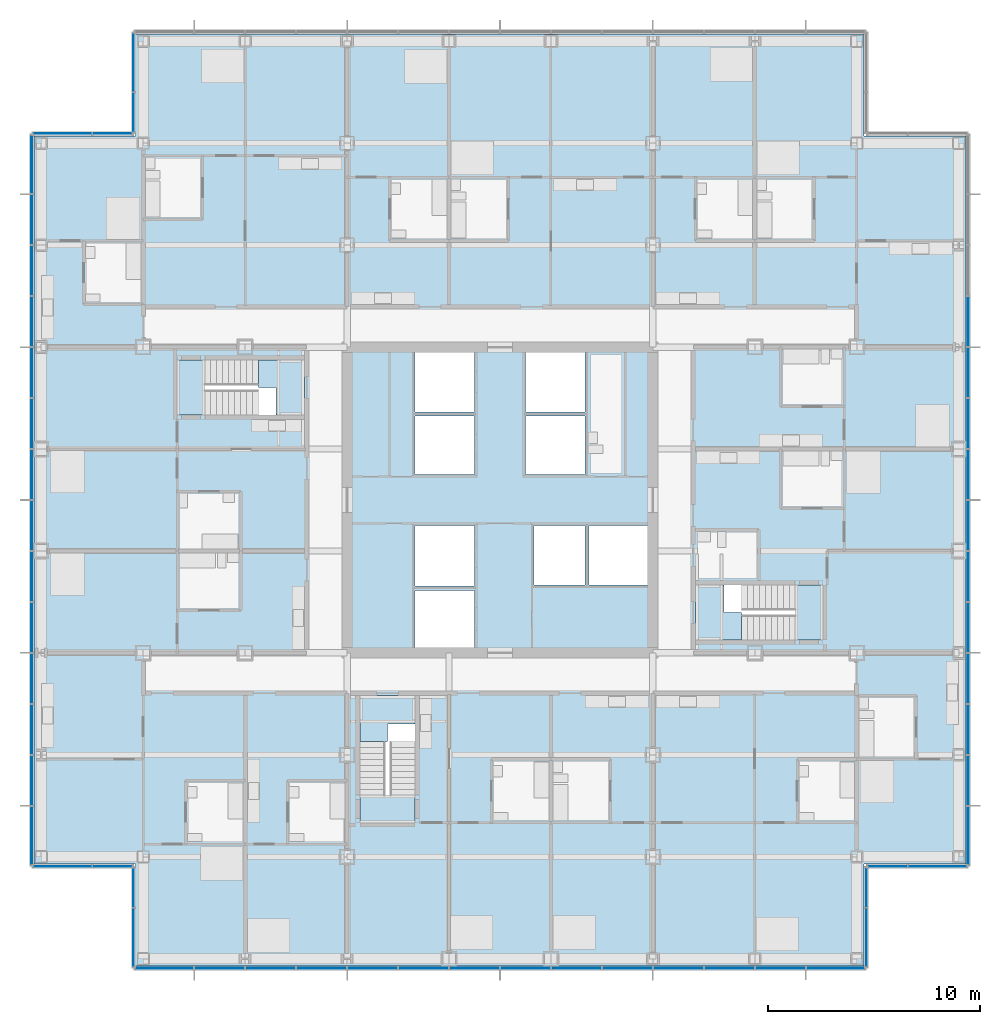
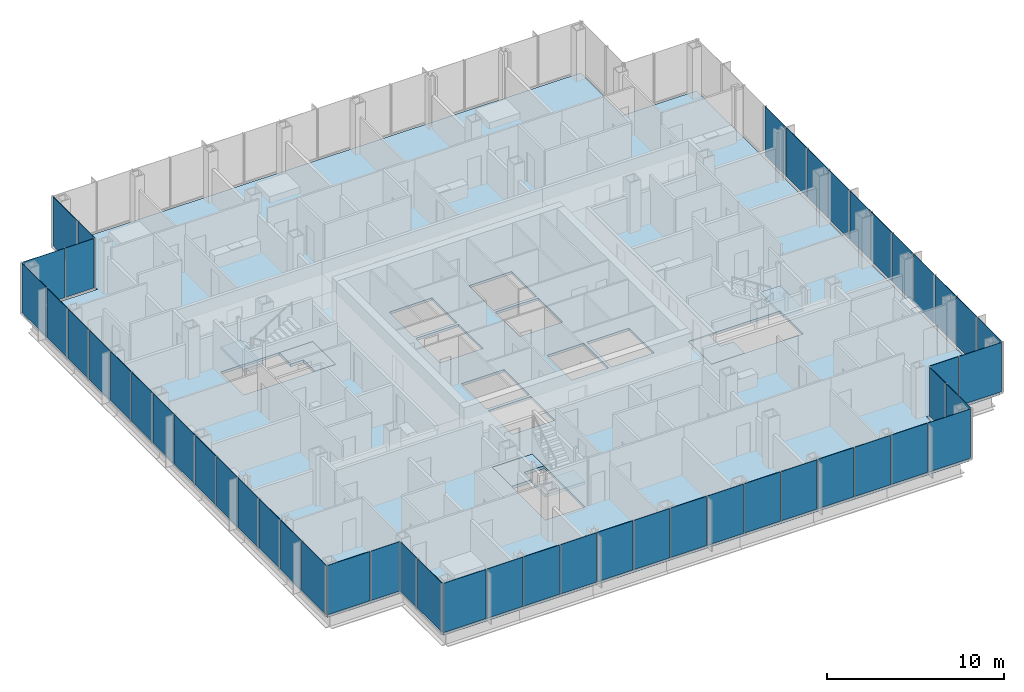
# One storey, part 12 of 21: 51 plates, 7 slabs, 12 elements without a shape of their own.
"""IFC4 building model written with IfcOpenShell, lengths in metres."""

from ifc_helpers import new_model, si_unit, direction, frame, origin, origin_2d, place, context, subcontext, project, spatial, polyline, rectangle, outline, extrude, material, layer, layer_set, type_object, element, aggregate, save


model = new_model("IFC4")

# Units and contexts
model_context = context("Model", 3, precision=1e-05, world=origin(), true_north=direction((0.0, 1.0)))
body_context = subcontext(model_context, "Body", "Model", "MODEL_VIEW")
ifc_project = project(units=[si_unit("LENGTHUNIT", "METRE"), si_unit("AREAUNIT", "SQUARE_METRE"), si_unit("VOLUMEUNIT", "CUBIC_METRE"), si_unit("PLANEANGLEUNIT", "RADIAN"), si_unit("MASSUNIT", "GRAM", prefix="KILO")], contexts=[model_context])

# Site, building, storey
site_placement = place(None, origin())
site = spatial("IfcSite", under=ifc_project, at=site_placement, CompositionType="ELEMENT")
building_placement = place(site_placement, origin())
building = spatial("IfcBuilding", under=site, at=building_placement, Name="Kvirike Care Tower", CompositionType="ELEMENT")
storey_placement = place(building_placement, frame((0.0, 0.0, 27.0)))
storey = spatial("IfcBuildingStorey", under=building, at=storey_placement, Name="L06", CompositionType="ELEMENT", Elevation=27.0)

# Slab
ifc_material_1 = material(Name="Concrete C35/45", Category="concrete")
ifc_layer_1 = layer(ifc_material_1, 0.169921875)
ifc_layer_set_1 = layer_set([ifc_layer_1], Name="FLOOR SLAB 170")
slab_type_1 = type_object("IfcSlabType", Name="FLOOR SLAB 170", PredefinedType="FLOOR", material=ifc_layer_set_1)
slab_1_placement = place(storey_placement, frame((0.0, 0.0, -0.169921875)))
element("IfcSlab", 1, at=slab_1_placement, inside=storey, type_object=slab_type_1, Name="Floor slab L06", PredefinedType="FLOOR", context=body_context, shape_type="SweptSolid", body=[
    extrude(outline(polyline([(-0.35009765625, 53.14990234375), (-0.35009765625, 18.85009765625), (4.449951171875, 18.85009765625), (4.449951171875, 14.050048828125), (38.75, 14.050048828125), (38.75, 18.85009765625), (43.550048828125, 18.85009765625), (43.550048828125, 53.14990234375), (38.75, 53.14990234375), (38.75, 57.949951171875), (4.449951171875, 57.949951171875), (4.449951171875, 53.14990234375), (-0.35009765625, 53.14990234375)]), holes=[polyline([(17.60009765625, 29.050048828125), (17.60009765625, 31.75), (20.39990234375, 31.75), (20.39990234375, 29.050048828125), (17.60009765625, 29.050048828125)]), polyline([(17.60009765625, 31.949951171875), (17.60009765625, 34.800048828125), (20.39990234375, 34.800048828125), (20.39990234375, 31.949951171875), (17.60009765625, 31.949951171875)]), polyline([(17.60009765625, 37.199951171875), (17.60009765625, 39.949951171875), (20.39990234375, 39.949951171875), (20.39990234375, 37.199951171875), (17.60009765625, 37.199951171875)]), polyline([(17.60009765625, 40.14990234375), (17.60009765625, 42.949951171875), (20.39990234375, 42.949951171875), (20.39990234375, 40.14990234375), (17.60009765625, 40.14990234375)]), polyline([(22.800048828125, 37.199951171875), (22.800048828125, 39.949951171875), (25.60009765625, 39.949951171875), (25.60009765625, 37.199951171875), (22.800048828125, 37.199951171875)]), polyline([(22.800048828125, 40.14990234375), (22.800048828125, 42.949951171875), (25.60009765625, 42.949951171875), (25.60009765625, 40.14990234375), (22.800048828125, 40.14990234375)]), polyline([(23.199951171875, 32.0), (23.199951171875, 34.800048828125), (25.60009765625, 34.800048828125), (25.60009765625, 32.0), (23.199951171875, 32.0)]), polyline([(25.800048828125, 32.0), (25.800048828125, 34.800048828125), (28.550048828125, 34.800048828125), (28.550048828125, 32.0), (25.800048828125, 32.0)]), polyline([(12.39990234375, 42.60009765625), (12.39990234375, 40.0), (6.39990234375, 40.0), (6.39990234375, 42.60009765625), (12.39990234375, 42.60009765625)]), polyline([(30.800048828125, 29.39990234375), (30.800048828125, 32.0), (36.800048828125, 32.0), (36.800048828125, 29.39990234375), (30.800048828125, 29.39990234375)]), polyline([(15.0, 26.800048828125), (17.60009765625, 26.800048828125), (17.60009765625, 20.800048828125), (15.0, 20.800048828125), (15.0, 26.800048828125)])]), origin(), (0.0, 0.0, 1.0), 0.169921875),
])

# Stair, slabs
ifc_material_2 = material(Name="Concrete C35/45", Category="concrete")
stair_type = type_object("IfcStairType", Name="STAIR 20 RISERS", PredefinedType="HALF_TURN_STAIR", material=ifc_material_2)
stair_1_placement = place(storey_placement, origin())
stair_1 = element("IfcStair", 2, at=stair_1_placement, inside=storey, type_object=stair_type, Name="Stair 1 L06", PredefinedType="HALF_TURN_STAIR")
ifc_material_3 = material(Name="Concrete C35/45", Category="concrete")
ifc_layer_2 = layer(ifc_material_3, 0.199951171875)
ifc_layer_set_2 = layer_set([ifc_layer_2], Name="STAIR LANDING 200")
slab_type_2 = type_object("IfcSlabType", Name="STAIR LANDING 200", PredefinedType="LANDING", material=ifc_layer_set_2)
slab_2_placement = place(storey_placement, frame((0.0, 0.0, -0.199951171875)))
slab_2 = element("IfcSlab", 3, at=slab_2_placement, type_object=slab_type_2, Name="Stair S1 floor landing L06", PredefinedType="LANDING", context=body_context, shape_type="SweptSolid", body=[
    extrude(outline(polyline([(10.219970703125, 42.60009765625), (10.219970703125, 41.300048828125), (11.06005859375, 41.300048828125), (11.06005859375, 40.0), (12.39990234375, 40.0), (12.39990234375, 42.60009765625), (10.219970703125, 42.60009765625)])), origin(), (0.0, 0.0, 1.0), 0.199951171875),
])
slab_3_placement = place(storey_placement, frame((0.0, 0.0, 1.550048828125)))
slab_3 = element("IfcSlab", 4, at=slab_3_placement, type_object=slab_type_2, Name="Stair S1 half landing L06-L07", PredefinedType="LANDING", context=body_context, shape_type="SweptSolid", body=[
    extrude(outline(polyline([(6.39990234375, 42.60009765625), (6.39990234375, 40.0), (7.699951171875, 40.0), (7.699951171875, 42.60009765625), (6.39990234375, 42.60009765625)])), origin(), (0.0, 0.0, 1.0), 0.199951171875),
])
aggregate(stair_1, [slab_2, slab_3])

stair_2_placement = place(storey_placement, origin())
stair_2 = element("IfcStair", 5, at=stair_2_placement, inside=storey, type_object=stair_type, Name="Stair 2 L06", PredefinedType="HALF_TURN_STAIR")
slab_4_placement = place(storey_placement, frame((0.0, 0.0, -0.199951171875)))
slab_4 = element("IfcSlab", 6, at=slab_4_placement, type_object=slab_type_2, Name="Stair S2 floor landing L06", PredefinedType="LANDING", context=body_context, shape_type="SweptSolid", body=[
    extrude(outline(polyline([(32.97998046875, 29.39990234375), (32.97998046875, 30.699951171875), (32.139892578125, 30.699951171875), (32.139892578125, 32.0), (30.800048828125, 32.0), (30.800048828125, 29.39990234375), (32.97998046875, 29.39990234375)])), origin(), (0.0, 0.0, 1.0), 0.199951171875),
])
slab_5_placement = place(storey_placement, frame((0.0, 0.0, 1.550048828125)))
slab_5 = element("IfcSlab", 7, at=slab_5_placement, type_object=slab_type_2, Name="Stair S2 half landing L06-L07", PredefinedType="LANDING", context=body_context, shape_type="SweptSolid", body=[
    extrude(outline(polyline([(36.800048828125, 29.39990234375), (36.800048828125, 32.0), (35.5, 32.0), (35.5, 29.39990234375), (36.800048828125, 29.39990234375)])), origin(), (0.0, 0.0, 1.0), 0.199951171875),
])
aggregate(stair_2, [slab_4, slab_5])

stair_3_placement = place(storey_placement, origin())
stair_3 = element("IfcStair", 8, at=stair_3_placement, inside=storey, type_object=stair_type, Name="Stair 5 L06", PredefinedType="HALF_TURN_STAIR")
slab_6_placement = place(storey_placement, frame((0.0, 0.0, -0.199951171875)))
slab_6 = element("IfcSlab", 9, at=slab_6_placement, type_object=slab_type_2, Name="Stair S5 floor landing L06", PredefinedType="LANDING", context=body_context, shape_type="SweptSolid", body=[
    extrude(outline(polyline([(15.0, 24.6201171875), (16.300048828125, 24.6201171875), (16.300048828125, 25.4599609375), (17.60009765625, 25.4599609375), (17.60009765625, 26.800048828125), (15.0, 26.800048828125), (15.0, 24.6201171875)])), origin(), (0.0, 0.0, 1.0), 0.199951171875),
])
slab_7_placement = place(storey_placement, frame((0.0, 0.0, 1.550048828125)))
slab_7 = element("IfcSlab", 10, at=slab_7_placement, type_object=slab_type_2, Name="Stair S5 half landing L06-L07", PredefinedType="LANDING", context=body_context, shape_type="SweptSolid", body=[
    extrude(outline(polyline([(15.0, 20.800048828125), (17.60009765625, 20.800048828125), (17.60009765625, 22.10009765625), (15.0, 22.10009765625), (15.0, 20.800048828125)])), origin(), (0.0, 0.0, 1.0), 0.199951171875),
])
aggregate(stair_3, [slab_6, slab_7])

# Curtain wall, plates
ifc_material_4 = material(Name="Anodised aluminium stick system", Category="aluminium")
curtain_wall_type = type_object("IfcCurtainWallType", Name="CW-A STICK CURTAIN WALL", PredefinedType="NOTDEFINED", material=ifc_material_4)
curtain_wall_1_placement = place(storey_placement, origin())
curtain_wall_1 = element("IfcCurtainWall", 11, at=curtain_wall_1_placement, inside=storey, type_object=curtain_wall_type, Name="Curtain wall L06 face 1", PredefinedType="NOTDEFINED")
ifc_material_5 = material(Name="Tinted double glazed unit", Category="glass")
ifc_layer_3 = layer(ifc_material_5, 0.031982421875)
ifc_layer_set_3 = layer_set([ifc_layer_3], Name="TINTED VISION PANEL 32")
plate_type = type_object("IfcPlateType", Name="TINTED VISION PANEL 32", PredefinedType="CURTAIN_PANEL", material=ifc_layer_set_3)
plate_1_placement = place(storey_placement, frame((-0.449951171875, 51.808837890625, 0.10009765625), z_axis=(0.0, 0.0, 1.0), x_axis=(0.0, -1.0, 0.0)))
plate_1 = element("IfcPlate", 12, at=plate_1_placement, type_object=plate_type, Name="CW-A panel L06 face 1.1", PredefinedType="CURTAIN_PANEL", context=body_context, shape_type="SweptSolid", body=[
    extrude(rectangle(XDim=2.75244140625, YDim=0.031982421875, at=origin_2d()), origin(), (0.0, 0.0, 1.0), 3.39990234375),
])
plate_2_placement = place(storey_placement, frame((-0.449951171875, 49.199951171875, 0.10009765625), z_axis=(0.0, 0.0, 1.0), x_axis=(0.0, -1.0, 0.0)))
plate_2 = element("IfcPlate", 13, at=plate_2_placement, type_object=plate_type, Name="CW-A panel L06 face 1.2", PredefinedType="CURTAIN_PANEL", context=body_context, shape_type="SweptSolid", body=[
    extrude(rectangle(XDim=2.3349609375, YDim=0.031982421875, at=origin_2d()), origin(), (0.0, 0.0, 1.0), 3.39990234375),
])
plate_3_placement = place(storey_placement, frame((-0.449951171875, 46.800048828125, 0.10009765625), z_axis=(0.0, 0.0, 1.0), x_axis=(0.0, -1.0, 0.0)))
plate_3 = element("IfcPlate", 14, at=plate_3_placement, type_object=plate_type, Name="CW-A panel L06 face 1.3", PredefinedType="CURTAIN_PANEL", context=body_context, shape_type="SweptSolid", body=[
    extrude(rectangle(XDim=2.3349609375, YDim=0.031982421875, at=origin_2d()), origin(), (0.0, 0.0, 1.0), 3.39990234375),
])
plate_4_placement = place(storey_placement, frame((-0.449951171875, 44.39990234375, 0.10009765625), z_axis=(0.0, 0.0, 1.0), x_axis=(0.0, -1.0, 0.0)))
plate_4 = element("IfcPlate", 15, at=plate_4_placement, type_object=plate_type, Name="CW-A panel L06 face 1.4", PredefinedType="CURTAIN_PANEL", context=body_context, shape_type="SweptSolid", body=[
    extrude(rectangle(XDim=2.3349609375, YDim=0.031982421875, at=origin_2d()), origin(), (0.0, 0.0, 1.0), 3.39990234375),
])
plate_5_placement = place(storey_placement, frame((-0.449951171875, 42.0, 0.10009765625), z_axis=(0.0, 0.0, 1.0), x_axis=(0.0, -1.0, 0.0)))
plate_5 = element("IfcPlate", 16, at=plate_5_placement, type_object=plate_type, Name="CW-A panel L06 face 1.5", PredefinedType="CURTAIN_PANEL", context=body_context, shape_type="SweptSolid", body=[
    extrude(rectangle(XDim=2.3349609375, YDim=0.031982421875, at=origin_2d()), origin(), (0.0, 0.0, 1.0), 3.39990234375),
])
plate_6_placement = place(storey_placement, frame((-0.449951171875, 39.60009765625, 0.10009765625), z_axis=(0.0, 0.0, 1.0), x_axis=(0.0, -1.0, 0.0)))
plate_6 = element("IfcPlate", 17, at=plate_6_placement, type_object=plate_type, Name="CW-A panel L06 face 1.6", PredefinedType="CURTAIN_PANEL", context=body_context, shape_type="SweptSolid", body=[
    extrude(rectangle(XDim=2.3349609375, YDim=0.031982421875, at=origin_2d()), origin(), (0.0, 0.0, 1.0), 3.39990234375),
])
plate_7_placement = place(storey_placement, frame((-0.449951171875, 37.199951171875, 0.10009765625), z_axis=(0.0, 0.0, 1.0), x_axis=(0.0, -1.0, 0.0)))
plate_7 = element("IfcPlate", 18, at=plate_7_placement, type_object=plate_type, Name="CW-A panel L06 face 1.7", PredefinedType="CURTAIN_PANEL", context=body_context, shape_type="SweptSolid", body=[
    extrude(rectangle(XDim=2.3349609375, YDim=0.031982421875, at=origin_2d()), origin(), (0.0, 0.0, 1.0), 3.39990234375),
])
plate_8_placement = place(storey_placement, frame((-0.449951171875, 34.800048828125, 0.10009765625), z_axis=(0.0, 0.0, 1.0), x_axis=(0.0, -1.0, 0.0)))
plate_8 = element("IfcPlate", 19, at=plate_8_placement, type_object=plate_type, Name="CW-A panel L06 face 1.8", PredefinedType="CURTAIN_PANEL", context=body_context, shape_type="SweptSolid", body=[
    extrude(rectangle(XDim=2.3349609375, YDim=0.031982421875, at=origin_2d()), origin(), (0.0, 0.0, 1.0), 3.39990234375),
])
plate_9_placement = place(storey_placement, frame((-0.449951171875, 32.39990234375, 0.10009765625), z_axis=(0.0, 0.0, 1.0), x_axis=(0.0, -1.0, 0.0)))
plate_9 = element("IfcPlate", 20, at=plate_9_placement, type_object=plate_type, Name="CW-A panel L06 face 1.9", PredefinedType="CURTAIN_PANEL", context=body_context, shape_type="SweptSolid", body=[
    extrude(rectangle(XDim=2.3349609375, YDim=0.031982421875, at=origin_2d()), origin(), (0.0, 0.0, 1.0), 3.39990234375),
])
plate_10_placement = place(storey_placement, frame((-0.449951171875, 30.0, 0.10009765625), z_axis=(0.0, 0.0, 1.0), x_axis=(0.0, -1.0, 0.0)))
plate_10 = element("IfcPlate", 21, at=plate_10_placement, type_object=plate_type, Name="CW-A panel L06 face 1.10", PredefinedType="CURTAIN_PANEL", context=body_context, shape_type="SweptSolid", body=[
    extrude(rectangle(XDim=2.3349609375, YDim=0.031982421875, at=origin_2d()), origin(), (0.0, 0.0, 1.0), 3.39990234375),
])
plate_11_placement = place(storey_placement, frame((-0.449951171875, 27.60009765625, 0.10009765625), z_axis=(0.0, 0.0, 1.0), x_axis=(0.0, -1.0, 0.0)))
plate_11 = element("IfcPlate", 22, at=plate_11_placement, type_object=plate_type, Name="CW-A panel L06 face 1.11", PredefinedType="CURTAIN_PANEL", context=body_context, shape_type="SweptSolid", body=[
    extrude(rectangle(XDim=2.3349609375, YDim=0.031982421875, at=origin_2d()), origin(), (0.0, 0.0, 1.0), 3.39990234375),
])
plate_12_placement = place(storey_placement, frame((-0.449951171875, 25.199951171875, 0.10009765625), z_axis=(0.0, 0.0, 1.0), x_axis=(0.0, -1.0, 0.0)))
plate_12 = element("IfcPlate", 23, at=plate_12_placement, type_object=plate_type, Name="CW-A panel L06 face 1.12", PredefinedType="CURTAIN_PANEL", context=body_context, shape_type="SweptSolid", body=[
    extrude(rectangle(XDim=2.3349609375, YDim=0.031982421875, at=origin_2d()), origin(), (0.0, 0.0, 1.0), 3.39990234375),
])
plate_13_placement = place(storey_placement, frame((-0.449951171875, 22.800048828125, 0.10009765625), z_axis=(0.0, 0.0, 1.0), x_axis=(0.0, -1.0, 0.0)))
plate_13 = element("IfcPlate", 24, at=plate_13_placement, type_object=plate_type, Name="CW-A panel L06 face 1.13", PredefinedType="CURTAIN_PANEL", context=body_context, shape_type="SweptSolid", body=[
    extrude(rectangle(XDim=2.3349609375, YDim=0.031982421875, at=origin_2d()), origin(), (0.0, 0.0, 1.0), 3.39990234375),
])
plate_14_placement = place(storey_placement, frame((-0.449951171875, 20.191162109375, 0.10009765625), z_axis=(0.0, 0.0, 1.0), x_axis=(0.0, -1.0, 0.0)))
plate_14 = element("IfcPlate", 25, at=plate_14_placement, type_object=plate_type, Name="CW-A panel L06 face 1.14", PredefinedType="CURTAIN_PANEL", context=body_context, shape_type="SweptSolid", body=[
    extrude(rectangle(XDim=2.75244140625, YDim=0.031982421875, at=origin_2d()), origin(), (0.0, 0.0, 1.0), 3.39990234375),
])
aggregate(curtain_wall_1, [plate_1, plate_2, plate_3, plate_4, plate_5, plate_6, plate_7, plate_8, plate_9, plate_10, plate_11, plate_12, plate_13, plate_14])

curtain_wall_2_placement = place(storey_placement, origin())
curtain_wall_2 = element("IfcCurtainWall", 26, at=curtain_wall_2_placement, inside=storey, type_object=curtain_wall_type, Name="Curtain wall L06 face 2", PredefinedType="NOTDEFINED")
plate_15_placement = place(storey_placement, frame((0.9912109375, 18.75, 0.10009765625), z_axis=(0.0, 0.0, 1.0), x_axis=(1.0, 0.0, 0.0)))
plate_15 = element("IfcPlate", 27, at=plate_15_placement, type_object=plate_type, Name="CW-A panel L06 face 2.1", PredefinedType="CURTAIN_PANEL", context=body_context, shape_type="SweptSolid", body=[
    extrude(rectangle(XDim=2.75244140625, YDim=0.031982421875, at=origin_2d()), origin(), (0.0, 0.0, 1.0), 3.39990234375),
])
plate_16_placement = place(storey_placement, frame((3.358642578125, 18.75, 0.10009765625), z_axis=(0.0, 0.0, 1.0), x_axis=(1.0, 0.0, 0.0)))
plate_16 = element("IfcPlate", 28, at=plate_16_placement, type_object=plate_type, Name="CW-A panel L06 face 2.2", PredefinedType="CURTAIN_PANEL", context=body_context, shape_type="SweptSolid", body=[
    extrude(rectangle(XDim=1.8525390625, YDim=0.031982421875, at=origin_2d()), origin(), (0.0, 0.0, 1.0), 3.39990234375),
])
aggregate(curtain_wall_2, [plate_15, plate_16])

curtain_wall_3_placement = place(storey_placement, origin())
curtain_wall_3 = element("IfcCurtainWall", 29, at=curtain_wall_3_placement, inside=storey, type_object=curtain_wall_type, Name="Curtain wall L06 face 3", PredefinedType="NOTDEFINED")
plate_17_placement = place(storey_placement, frame((4.35009765625, 17.7587890625, 0.10009765625), z_axis=(0.0, 0.0, 1.0), x_axis=(0.0, -1.0, 0.0)))
plate_17 = element("IfcPlate", 30, at=plate_17_placement, type_object=plate_type, Name="CW-A panel L06 face 3.1", PredefinedType="CURTAIN_PANEL", context=body_context, shape_type="SweptSolid", body=[
    extrude(rectangle(XDim=1.8525390625, YDim=0.031982421875, at=origin_2d()), origin(), (0.0, 0.0, 1.0), 3.39990234375),
])
plate_18_placement = place(storey_placement, frame((4.35009765625, 15.391357421875, 0.10009765625), z_axis=(0.0, 0.0, 1.0), x_axis=(0.0, -1.0, 0.0)))
plate_18 = element("IfcPlate", 31, at=plate_18_placement, type_object=plate_type, Name="CW-A panel L06 face 3.2", PredefinedType="CURTAIN_PANEL", context=body_context, shape_type="SweptSolid", body=[
    extrude(rectangle(XDim=2.75244140625, YDim=0.031982421875, at=origin_2d()), origin(), (0.0, 0.0, 1.0), 3.39990234375),
])
aggregate(curtain_wall_3, [plate_17, plate_18])

curtain_wall_4_placement = place(storey_placement, origin())
curtain_wall_4 = element("IfcCurtainWall", 32, at=curtain_wall_4_placement, inside=storey, type_object=curtain_wall_type, Name="Curtain wall L06 face 4", PredefinedType="NOTDEFINED")
plate_19_placement = place(storey_placement, frame((5.791259765625, 13.949951171875, 0.10009765625), z_axis=(0.0, 0.0, 1.0), x_axis=(1.0, 0.0, 0.0)))
plate_19 = element("IfcPlate", 33, at=plate_19_placement, type_object=plate_type, Name="CW-A panel L06 face 4.1", PredefinedType="CURTAIN_PANEL", context=body_context, shape_type="SweptSolid", body=[
    extrude(rectangle(XDim=2.75244140625, YDim=0.031982421875, at=origin_2d()), origin(), (0.0, 0.0, 1.0), 3.39990234375),
])
plate_20_placement = place(storey_placement, frame((8.39990234375, 13.949951171875, 0.10009765625), z_axis=(0.0, 0.0, 1.0), x_axis=(1.0, 0.0, 0.0)))
plate_20 = element("IfcPlate", 34, at=plate_20_placement, type_object=plate_type, Name="CW-A panel L06 face 4.2", PredefinedType="CURTAIN_PANEL", context=body_context, shape_type="SweptSolid", body=[
    extrude(rectangle(XDim=2.3349609375, YDim=0.031982421875, at=origin_2d()), origin(), (0.0, 0.0, 1.0), 3.39990234375),
])
plate_21_placement = place(storey_placement, frame((10.800048828125, 13.949951171875, 0.10009765625), z_axis=(0.0, 0.0, 1.0), x_axis=(1.0, 0.0, 0.0)))
plate_21 = element("IfcPlate", 35, at=plate_21_placement, type_object=plate_type, Name="CW-A panel L06 face 4.3", PredefinedType="CURTAIN_PANEL", context=body_context, shape_type="SweptSolid", body=[
    extrude(rectangle(XDim=2.3349609375, YDim=0.031982421875, at=origin_2d()), origin(), (0.0, 0.0, 1.0), 3.39990234375),
])
plate_22_placement = place(storey_placement, frame((13.199951171875, 13.949951171875, 0.10009765625), z_axis=(0.0, 0.0, 1.0), x_axis=(1.0, 0.0, 0.0)))
plate_22 = element("IfcPlate", 36, at=plate_22_placement, type_object=plate_type, Name="CW-A panel L06 face 4.4", PredefinedType="CURTAIN_PANEL", context=body_context, shape_type="SweptSolid", body=[
    extrude(rectangle(XDim=2.3349609375, YDim=0.031982421875, at=origin_2d()), origin(), (0.0, 0.0, 1.0), 3.39990234375),
])
plate_23_placement = place(storey_placement, frame((15.60009765625, 13.949951171875, 0.10009765625), z_axis=(0.0, 0.0, 1.0), x_axis=(1.0, 0.0, 0.0)))
plate_23 = element("IfcPlate", 37, at=plate_23_placement, type_object=plate_type, Name="CW-A panel L06 face 4.5", PredefinedType="CURTAIN_PANEL", context=body_context, shape_type="SweptSolid", body=[
    extrude(rectangle(XDim=2.3349609375, YDim=0.031982421875, at=origin_2d()), origin(), (0.0, 0.0, 1.0), 3.39990234375),
])
plate_24_placement = place(storey_placement, frame((18.0, 13.949951171875, 0.10009765625), z_axis=(0.0, 0.0, 1.0), x_axis=(1.0, 0.0, 0.0)))
plate_24 = element("IfcPlate", 38, at=plate_24_placement, type_object=plate_type, Name="CW-A panel L06 face 4.6", PredefinedType="CURTAIN_PANEL", context=body_context, shape_type="SweptSolid", body=[
    extrude(rectangle(XDim=2.3349609375, YDim=0.031982421875, at=origin_2d()), origin(), (0.0, 0.0, 1.0), 3.39990234375),
])
plate_25_placement = place(storey_placement, frame((20.39990234375, 13.949951171875, 0.10009765625), z_axis=(0.0, 0.0, 1.0), x_axis=(1.0, 0.0, 0.0)))
plate_25 = element("IfcPlate", 39, at=plate_25_placement, type_object=plate_type, Name="CW-A panel L06 face 4.7", PredefinedType="CURTAIN_PANEL", context=body_context, shape_type="SweptSolid", body=[
    extrude(rectangle(XDim=2.3349609375, YDim=0.031982421875, at=origin_2d()), origin(), (0.0, 0.0, 1.0), 3.39990234375),
])
plate_26_placement = place(storey_placement, frame((22.800048828125, 13.949951171875, 0.10009765625), z_axis=(0.0, 0.0, 1.0), x_axis=(1.0, 0.0, 0.0)))
plate_26 = element("IfcPlate", 40, at=plate_26_placement, type_object=plate_type, Name="CW-A panel L06 face 4.8", PredefinedType="CURTAIN_PANEL", context=body_context, shape_type="SweptSolid", body=[
    extrude(rectangle(XDim=2.3349609375, YDim=0.031982421875, at=origin_2d()), origin(), (0.0, 0.0, 1.0), 3.39990234375),
])
plate_27_placement = place(storey_placement, frame((25.199951171875, 13.949951171875, 0.10009765625), z_axis=(0.0, 0.0, 1.0), x_axis=(1.0, 0.0, 0.0)))
plate_27 = element("IfcPlate", 41, at=plate_27_placement, type_object=plate_type, Name="CW-A panel L06 face 4.9", PredefinedType="CURTAIN_PANEL", context=body_context, shape_type="SweptSolid", body=[
    extrude(rectangle(XDim=2.3349609375, YDim=0.031982421875, at=origin_2d()), origin(), (0.0, 0.0, 1.0), 3.39990234375),
])
plate_28_placement = place(storey_placement, frame((27.60009765625, 13.949951171875, 0.10009765625), z_axis=(0.0, 0.0, 1.0), x_axis=(1.0, 0.0, 0.0)))
plate_28 = element("IfcPlate", 42, at=plate_28_placement, type_object=plate_type, Name="CW-A panel L06 face 4.10", PredefinedType="CURTAIN_PANEL", context=body_context, shape_type="SweptSolid", body=[
    extrude(rectangle(XDim=2.3349609375, YDim=0.031982421875, at=origin_2d()), origin(), (0.0, 0.0, 1.0), 3.39990234375),
])
plate_29_placement = place(storey_placement, frame((30.0, 13.949951171875, 0.10009765625), z_axis=(0.0, 0.0, 1.0), x_axis=(1.0, 0.0, 0.0)))
plate_29 = element("IfcPlate", 43, at=plate_29_placement, type_object=plate_type, Name="CW-A panel L06 face 4.11", PredefinedType="CURTAIN_PANEL", context=body_context, shape_type="SweptSolid", body=[
    extrude(rectangle(XDim=2.3349609375, YDim=0.031982421875, at=origin_2d()), origin(), (0.0, 0.0, 1.0), 3.39990234375),
])
plate_30_placement = place(storey_placement, frame((32.39990234375, 13.949951171875, 0.10009765625), z_axis=(0.0, 0.0, 1.0), x_axis=(1.0, 0.0, 0.0)))
plate_30 = element("IfcPlate", 44, at=plate_30_placement, type_object=plate_type, Name="CW-A panel L06 face 4.12", PredefinedType="CURTAIN_PANEL", context=body_context, shape_type="SweptSolid", body=[
    extrude(rectangle(XDim=2.3349609375, YDim=0.031982421875, at=origin_2d()), origin(), (0.0, 0.0, 1.0), 3.39990234375),
])
plate_31_placement = place(storey_placement, frame((34.800048828125, 13.949951171875, 0.10009765625), z_axis=(0.0, 0.0, 1.0), x_axis=(1.0, 0.0, 0.0)))
plate_31 = element("IfcPlate", 45, at=plate_31_placement, type_object=plate_type, Name="CW-A panel L06 face 4.13", PredefinedType="CURTAIN_PANEL", context=body_context, shape_type="SweptSolid", body=[
    extrude(rectangle(XDim=2.3349609375, YDim=0.031982421875, at=origin_2d()), origin(), (0.0, 0.0, 1.0), 3.39990234375),
])
plate_32_placement = place(storey_placement, frame((37.40869140625, 13.949951171875, 0.10009765625), z_axis=(0.0, 0.0, 1.0), x_axis=(1.0, 0.0, 0.0)))
plate_32 = element("IfcPlate", 46, at=plate_32_placement, type_object=plate_type, Name="CW-A panel L06 face 4.14", PredefinedType="CURTAIN_PANEL", context=body_context, shape_type="SweptSolid", body=[
    extrude(rectangle(XDim=2.75244140625, YDim=0.031982421875, at=origin_2d()), origin(), (0.0, 0.0, 1.0), 3.39990234375),
])
aggregate(curtain_wall_4, [plate_19, plate_20, plate_21, plate_22, plate_23, plate_24, plate_25, plate_26, plate_27, plate_28, plate_29, plate_30, plate_31, plate_32])

curtain_wall_5_placement = place(storey_placement, origin())
curtain_wall_5 = element("IfcCurtainWall", 47, at=curtain_wall_5_placement, inside=storey, type_object=curtain_wall_type, Name="Curtain wall L06 face 5", PredefinedType="NOTDEFINED")
plate_33_placement = place(storey_placement, frame((38.85009765625, 15.391357421875, 0.10009765625), z_axis=(0.0, 0.0, 1.0), x_axis=(0.0, 1.0, 0.0)))
plate_33 = element("IfcPlate", 48, at=plate_33_placement, type_object=plate_type, Name="CW-A panel L06 face 5.1", PredefinedType="CURTAIN_PANEL", context=body_context, shape_type="SweptSolid", body=[
    extrude(rectangle(XDim=2.75244140625, YDim=0.031982421875, at=origin_2d()), origin(), (0.0, 0.0, 1.0), 3.39990234375),
])
plate_34_placement = place(storey_placement, frame((38.85009765625, 17.7587890625, 0.10009765625), z_axis=(0.0, 0.0, 1.0), x_axis=(0.0, 1.0, 0.0)))
plate_34 = element("IfcPlate", 49, at=plate_34_placement, type_object=plate_type, Name="CW-A panel L06 face 5.2", PredefinedType="CURTAIN_PANEL", context=body_context, shape_type="SweptSolid", body=[
    extrude(rectangle(XDim=1.8525390625, YDim=0.031982421875, at=origin_2d()), origin(), (0.0, 0.0, 1.0), 3.39990234375),
])
aggregate(curtain_wall_5, [plate_33, plate_34])

curtain_wall_6_placement = place(storey_placement, origin())
curtain_wall_6 = element("IfcCurtainWall", 50, at=curtain_wall_6_placement, inside=storey, type_object=curtain_wall_type, Name="Curtain wall L06 face 6", PredefinedType="NOTDEFINED")
plate_35_placement = place(storey_placement, frame((39.84130859375, 18.75, 0.10009765625), z_axis=(0.0, 0.0, 1.0), x_axis=(1.0, 0.0, 0.0)))
plate_35 = element("IfcPlate", 51, at=plate_35_placement, type_object=plate_type, Name="CW-A panel L06 face 6.1", PredefinedType="CURTAIN_PANEL", context=body_context, shape_type="SweptSolid", body=[
    extrude(rectangle(XDim=1.8525390625, YDim=0.031982421875, at=origin_2d()), origin(), (0.0, 0.0, 1.0), 3.39990234375),
])
plate_36_placement = place(storey_placement, frame((42.208740234375, 18.75, 0.10009765625), z_axis=(0.0, 0.0, 1.0), x_axis=(1.0, 0.0, 0.0)))
plate_36 = element("IfcPlate", 52, at=plate_36_placement, type_object=plate_type, Name="CW-A panel L06 face 6.2", PredefinedType="CURTAIN_PANEL", context=body_context, shape_type="SweptSolid", body=[
    extrude(rectangle(XDim=2.75244140625, YDim=0.031982421875, at=origin_2d()), origin(), (0.0, 0.0, 1.0), 3.39990234375),
])
aggregate(curtain_wall_6, [plate_35, plate_36])

curtain_wall_7_placement = place(storey_placement, origin())
curtain_wall_7 = element("IfcCurtainWall", 53, at=curtain_wall_7_placement, inside=storey, type_object=curtain_wall_type, Name="Curtain wall L06 face 7", PredefinedType="NOTDEFINED")
plate_37_placement = place(storey_placement, frame((43.64990234375, 20.191162109375, 0.10009765625), z_axis=(0.0, 0.0, 1.0), x_axis=(0.0, 1.0, 0.0)))
plate_37 = element("IfcPlate", 54, at=plate_37_placement, type_object=plate_type, Name="CW-A panel L06 face 7.1", PredefinedType="CURTAIN_PANEL", context=body_context, shape_type="SweptSolid", body=[
    extrude(rectangle(XDim=2.75244140625, YDim=0.031982421875, at=origin_2d()), origin(), (0.0, 0.0, 1.0), 3.39990234375),
])
plate_38_placement = place(storey_placement, frame((43.64990234375, 22.800048828125, 0.10009765625), z_axis=(0.0, 0.0, 1.0), x_axis=(0.0, 1.0, 0.0)))
plate_38 = element("IfcPlate", 55, at=plate_38_placement, type_object=plate_type, Name="CW-A panel L06 face 7.2", PredefinedType="CURTAIN_PANEL", context=body_context, shape_type="SweptSolid", body=[
    extrude(rectangle(XDim=2.3349609375, YDim=0.031982421875, at=origin_2d()), origin(), (0.0, 0.0, 1.0), 3.39990234375),
])
plate_39_placement = place(storey_placement, frame((43.64990234375, 25.199951171875, 0.10009765625), z_axis=(0.0, 0.0, 1.0), x_axis=(0.0, 1.0, 0.0)))
plate_39 = element("IfcPlate", 56, at=plate_39_placement, type_object=plate_type, Name="CW-A panel L06 face 7.3", PredefinedType="CURTAIN_PANEL", context=body_context, shape_type="SweptSolid", body=[
    extrude(rectangle(XDim=2.3349609375, YDim=0.031982421875, at=origin_2d()), origin(), (0.0, 0.0, 1.0), 3.39990234375),
])
plate_40_placement = place(storey_placement, frame((43.64990234375, 27.60009765625, 0.10009765625), z_axis=(0.0, 0.0, 1.0), x_axis=(0.0, 1.0, 0.0)))
plate_40 = element("IfcPlate", 57, at=plate_40_placement, type_object=plate_type, Name="CW-A panel L06 face 7.4", PredefinedType="CURTAIN_PANEL", context=body_context, shape_type="SweptSolid", body=[
    extrude(rectangle(XDim=2.3349609375, YDim=0.031982421875, at=origin_2d()), origin(), (0.0, 0.0, 1.0), 3.39990234375),
])
plate_41_placement = place(storey_placement, frame((43.64990234375, 30.0, 0.10009765625), z_axis=(0.0, 0.0, 1.0), x_axis=(0.0, 1.0, 0.0)))
plate_41 = element("IfcPlate", 58, at=plate_41_placement, type_object=plate_type, Name="CW-A panel L06 face 7.5", PredefinedType="CURTAIN_PANEL", context=body_context, shape_type="SweptSolid", body=[
    extrude(rectangle(XDim=2.3349609375, YDim=0.031982421875, at=origin_2d()), origin(), (0.0, 0.0, 1.0), 3.39990234375),
])
plate_42_placement = place(storey_placement, frame((43.64990234375, 32.39990234375, 0.10009765625), z_axis=(0.0, 0.0, 1.0), x_axis=(0.0, 1.0, 0.0)))
plate_42 = element("IfcPlate", 59, at=plate_42_placement, type_object=plate_type, Name="CW-A panel L06 face 7.6", PredefinedType="CURTAIN_PANEL", context=body_context, shape_type="SweptSolid", body=[
    extrude(rectangle(XDim=2.3349609375, YDim=0.031982421875, at=origin_2d()), origin(), (0.0, 0.0, 1.0), 3.39990234375),
])
plate_43_placement = place(storey_placement, frame((43.64990234375, 34.800048828125, 0.10009765625), z_axis=(0.0, 0.0, 1.0), x_axis=(0.0, 1.0, 0.0)))
plate_43 = element("IfcPlate", 60, at=plate_43_placement, type_object=plate_type, Name="CW-A panel L06 face 7.7", PredefinedType="CURTAIN_PANEL", context=body_context, shape_type="SweptSolid", body=[
    extrude(rectangle(XDim=2.3349609375, YDim=0.031982421875, at=origin_2d()), origin(), (0.0, 0.0, 1.0), 3.39990234375),
])
plate_44_placement = place(storey_placement, frame((43.64990234375, 37.199951171875, 0.10009765625), z_axis=(0.0, 0.0, 1.0), x_axis=(0.0, 1.0, 0.0)))
plate_44 = element("IfcPlate", 61, at=plate_44_placement, type_object=plate_type, Name="CW-A panel L06 face 7.8", PredefinedType="CURTAIN_PANEL", context=body_context, shape_type="SweptSolid", body=[
    extrude(rectangle(XDim=2.3349609375, YDim=0.031982421875, at=origin_2d()), origin(), (0.0, 0.0, 1.0), 3.39990234375),
])
plate_45_placement = place(storey_placement, frame((43.64990234375, 39.60009765625, 0.10009765625), z_axis=(0.0, 0.0, 1.0), x_axis=(0.0, 1.0, 0.0)))
plate_45 = element("IfcPlate", 62, at=plate_45_placement, type_object=plate_type, Name="CW-A panel L06 face 7.9", PredefinedType="CURTAIN_PANEL", context=body_context, shape_type="SweptSolid", body=[
    extrude(rectangle(XDim=2.3349609375, YDim=0.031982421875, at=origin_2d()), origin(), (0.0, 0.0, 1.0), 3.39990234375),
])
plate_46_placement = place(storey_placement, frame((43.64990234375, 42.0, 0.10009765625), z_axis=(0.0, 0.0, 1.0), x_axis=(0.0, 1.0, 0.0)))
plate_46 = element("IfcPlate", 63, at=plate_46_placement, type_object=plate_type, Name="CW-A panel L06 face 7.10", PredefinedType="CURTAIN_PANEL", context=body_context, shape_type="SweptSolid", body=[
    extrude(rectangle(XDim=2.3349609375, YDim=0.031982421875, at=origin_2d()), origin(), (0.0, 0.0, 1.0), 3.39990234375),
])
plate_47_placement = place(storey_placement, frame((43.64990234375, 44.39990234375, 0.10009765625), z_axis=(0.0, 0.0, 1.0), x_axis=(0.0, 1.0, 0.0)))
plate_47 = element("IfcPlate", 64, at=plate_47_placement, type_object=plate_type, Name="CW-A panel L06 face 7.11", PredefinedType="CURTAIN_PANEL", context=body_context, shape_type="SweptSolid", body=[
    extrude(rectangle(XDim=2.3349609375, YDim=0.031982421875, at=origin_2d()), origin(), (0.0, 0.0, 1.0), 3.39990234375),
])
aggregate(curtain_wall_7, [plate_37, plate_38, plate_39, plate_40, plate_41, plate_42, plate_43, plate_44, plate_45, plate_46, plate_47])

curtain_wall_8_placement = place(storey_placement, origin())
curtain_wall_8 = element("IfcCurtainWall", 65, at=curtain_wall_8_placement, inside=storey, type_object=curtain_wall_type, Name="Curtain wall L06 face 11", PredefinedType="NOTDEFINED")
plate_48_placement = place(storey_placement, frame((4.35009765625, 56.608642578125, 0.10009765625), z_axis=(0.0, 0.0, 1.0), x_axis=(0.0, -1.0, 0.0)))
plate_48 = element("IfcPlate", 66, at=plate_48_placement, type_object=plate_type, Name="CW-A panel L06 face 11.1", PredefinedType="CURTAIN_PANEL", context=body_context, shape_type="SweptSolid", body=[
    extrude(rectangle(XDim=2.75244140625, YDim=0.031982421875, at=origin_2d()), origin(), (0.0, 0.0, 1.0), 3.39990234375),
])
plate_49_placement = place(storey_placement, frame((4.35009765625, 54.2412109375, 0.10009765625), z_axis=(0.0, 0.0, 1.0), x_axis=(0.0, -1.0, 0.0)))
plate_49 = element("IfcPlate", 67, at=plate_49_placement, type_object=plate_type, Name="CW-A panel L06 face 11.2", PredefinedType="CURTAIN_PANEL", context=body_context, shape_type="SweptSolid", body=[
    extrude(rectangle(XDim=1.8525390625, YDim=0.031982421875, at=origin_2d()), origin(), (0.0, 0.0, 1.0), 3.39990234375),
])
aggregate(curtain_wall_8, [plate_48, plate_49])

curtain_wall_9_placement = place(storey_placement, origin())
curtain_wall_9 = element("IfcCurtainWall", 68, at=curtain_wall_9_placement, inside=storey, type_object=curtain_wall_type, Name="Curtain wall L06 face 12", PredefinedType="NOTDEFINED")
plate_50_placement = place(storey_placement, frame((3.358642578125, 53.25, 0.10009765625), z_axis=(0.0, 0.0, 1.0), x_axis=(-1.0, 0.0, 0.0)))
plate_50 = element("IfcPlate", 69, at=plate_50_placement, type_object=plate_type, Name="CW-A panel L06 face 12.1", PredefinedType="CURTAIN_PANEL", context=body_context, shape_type="SweptSolid", body=[
    extrude(rectangle(XDim=1.8525390625, YDim=0.031982421875, at=origin_2d()), origin(), (0.0, 0.0, 1.0), 3.39990234375),
])
plate_51_placement = place(storey_placement, frame((0.9912109375, 53.25, 0.10009765625), z_axis=(0.0, 0.0, 1.0), x_axis=(-1.0, 0.0, 0.0)))
plate_51 = element("IfcPlate", 70, at=plate_51_placement, type_object=plate_type, Name="CW-A panel L06 face 12.2", PredefinedType="CURTAIN_PANEL", context=body_context, shape_type="SweptSolid", body=[
    extrude(rectangle(XDim=2.75244140625, YDim=0.031982421875, at=origin_2d()), origin(), (0.0, 0.0, 1.0), 3.39990234375),
])
aggregate(curtain_wall_9, [plate_50, plate_51])

save(model, "model.ifc")
